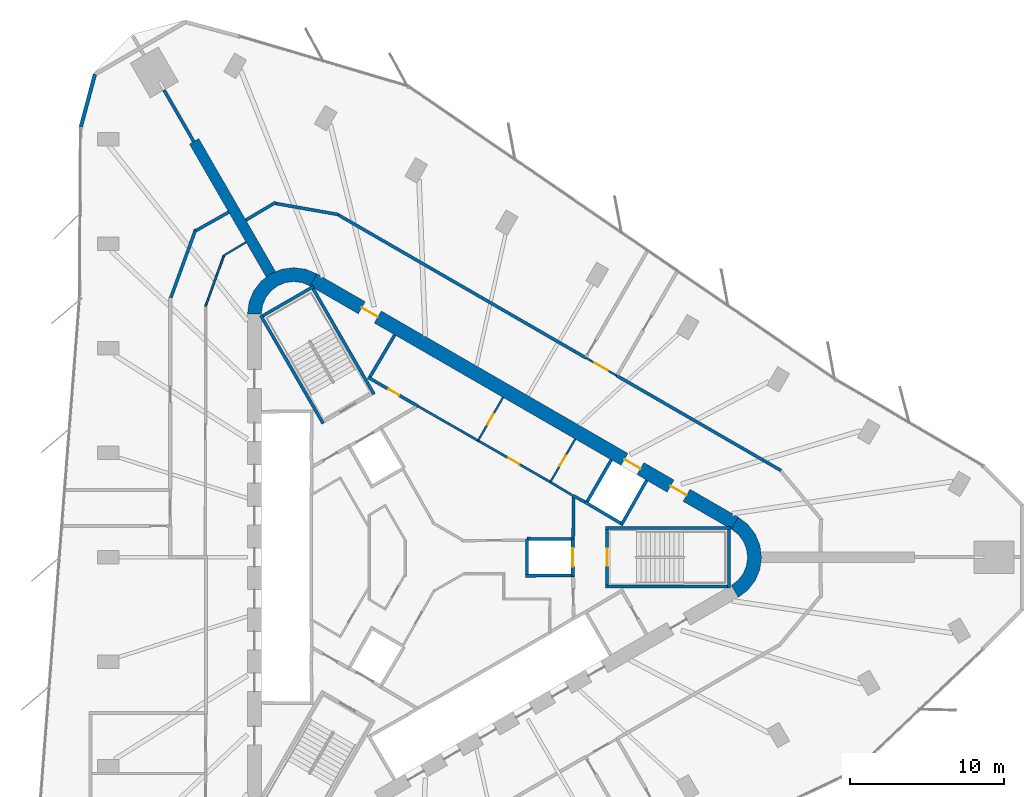
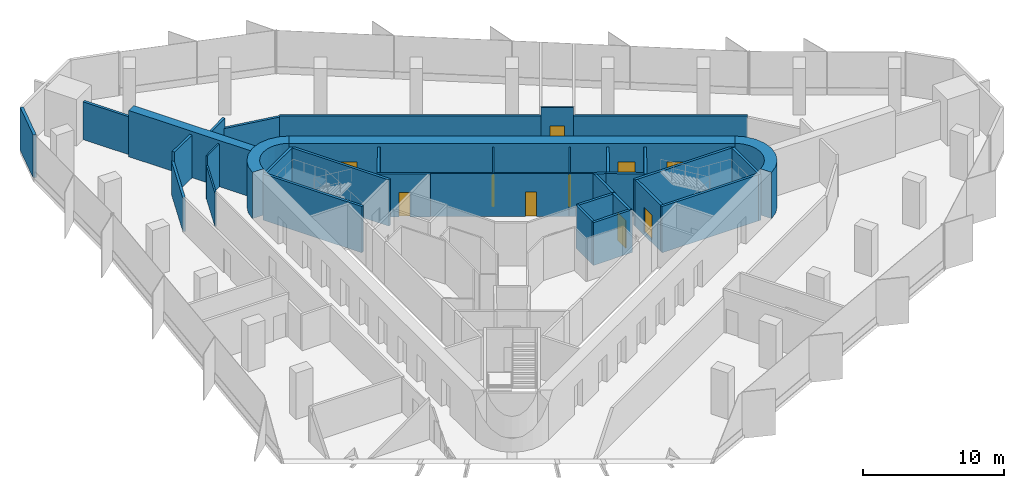
# One storey, part 11 of 13: 37 walls, 10 doors, 10 openings.
"""IFC4 building model written with IfcOpenShell, lengths in metres."""

from ifc_helpers import new_model, si_unit, direction, frame, frame_2d, origin, place, context, subcontext, project, spatial, polyline, rectangle, outline, extrude, material, layer, layer_set, type_object, element, fill, save


model = new_model("IFC4")

# Units and contexts
model_context = context("Model", 3, precision=1e-05, world=origin(), true_north=direction((0.0, 1.0)))
body_context = subcontext(model_context, "Body", "Model", "MODEL_VIEW")
ifc_project = project(units=[si_unit("LENGTHUNIT", "METRE"), si_unit("AREAUNIT", "SQUARE_METRE"), si_unit("VOLUMEUNIT", "CUBIC_METRE"), si_unit("PLANEANGLEUNIT", "RADIAN"), si_unit("MASSUNIT", "GRAM", prefix="KILO")], contexts=[model_context])

# Site, building, storey
site_placement = place(None, origin())
site = spatial("IfcSite", under=ifc_project, at=site_placement, CompositionType="ELEMENT")
building_placement = place(site_placement, origin())
building = spatial("IfcBuilding", under=site, at=building_placement, Name="Tanit Gate Tower", CompositionType="ELEMENT")
storey_placement = place(building_placement, frame((0.0, 0.0, 265.199951171875)))
storey = spatial("IfcBuildingStorey", under=building, at=storey_placement, Name="L60", CompositionType="ELEMENT", Elevation=265.199951171875)

# Wall
ifc_material_1 = material(Name="Concrete C50/60", Category="concrete")
ifc_layer_1 = layer(ifc_material_1, 0.699951171875)
ifc_layer_set_1 = layer_set([ifc_layer_1], Name="BUTTRESS FIN 700 C50/60")
wall_type_1 = type_object("IfcWallType", Name="BUTTRESS FIN 700 C50/60", PredefinedType="SHEAR", material=ifc_layer_set_1)
wall_1_placement = place(storey_placement, frame((-10.574951171875, 18.31640625, 0.0), z_axis=(0.0, 0.0, 1.0), x_axis=(-0.500007350791, 0.866021159762, 0.0)))
element("IfcWall", 1, at=wall_1_placement, inside=storey, type_object=wall_type_1, Name="BUTTRESS FIN", PredefinedType="SHEAR", context=body_context, shape_type="SweptSolid", body=[
    extrude(rectangle(XDim=9.964599609375, YDim=0.699951171875, at=frame_2d((4.982421875, 0.0))), origin(), (0.0, 0.0, 1.0), 4.0),
])

# Wall, openings, doors
ifc_material_2 = material(Name="Concrete C50/60", Category="concrete")
ifc_layer_2 = layer(ifc_material_2, 0.89990234375)
ifc_layer_set_2 = layer_set([ifc_layer_2], Name="CORE WALL 900 C50/60")
wall_type_2 = type_object("IfcWallType", Name="CORE WALL 900 C50/60", PredefinedType="SHEAR", material=ifc_layer_set_2)
wall_2_placement = place(storey_placement, frame((19.47509765625, 2.20849609375, 0.0), z_axis=(0.0, 0.0, 1.0), x_axis=(-0.866028369851, 0.499994862586, 0.0)))
wall_2 = element("IfcWall", 2, at=wall_2_placement, inside=storey, type_object=wall_type_2, Name="CORE WALL", PredefinedType="SHEAR", context=body_context, shape_type="SweptSolid", body=[
    extrude(rectangle(XDim=31.523193359375, YDim=0.89990234375, at=frame_2d((15.76171875, 0.0))), origin(), (0.0, 0.0, 1.0), 4.0),
])
opening_1_placement = place(wall_2_placement, frame((7.0615234375, 0.0, 0.0)))
opening_1 = element("IfcOpeningElement", 3, at=opening_1_placement, cuts=wall_2, Name="Opening LDML8-S17", PredefinedType="OPENING", context=body_context, shape_type="SweptSolid", body=[
    extrude(rectangle(XDim=1.199951171875, YDim=2.39990234375, at=frame_2d((0.60009765625, 1.199951171875))), frame((0.0, 0.4599609375, 0.0), z_axis=(0.0, -1.0, 0.0), x_axis=(1.0, 0.0, 0.0)), (0.0, 0.0, 1.0), 0.919921875),
])
opening_2_placement = place(wall_2_placement, frame((3.611572265625, 0.0, 0.0)))
opening_2 = element("IfcOpeningElement", 4, at=opening_2_placement, cuts=wall_2, Name="Opening F12-S17-FL1", PredefinedType="OPENING", context=body_context, shape_type="SweptSolid", body=[
    extrude(rectangle(XDim=1.199951171875, YDim=2.39990234375, at=frame_2d((0.60009765625, 1.199951171875))), frame((0.0, 0.4599609375, 0.0), z_axis=(0.0, -1.0, 0.0), x_axis=(1.0, 0.0, 0.0)), (0.0, 0.0, 1.0), 0.919921875),
])
opening_3_placement = place(wall_2_placement, frame((26.711669921875, 0.0, 0.0)))
opening_3 = element("IfcOpeningElement", 5, at=opening_3_placement, cuts=wall_2, Name="Opening F12-S17-S2", PredefinedType="OPENING", context=body_context, shape_type="SweptSolid", body=[
    extrude(rectangle(XDim=1.199951171875, YDim=2.39990234375, at=frame_2d((0.60009765625, 1.199951171875))), frame((0.0, 0.4599609375, 0.0), z_axis=(0.0, -1.0, 0.0), x_axis=(1.0, 0.0, 0.0)), (0.0, 0.0, 1.0), 0.919921875),
])
ifc_material_3 = material(Name="Fire-rated steel door leaf", Category="steel")
door_type_1 = type_object("IfcDoorType", Name="INT-DOOR-FIRE-LOBBY-1200", OperationType="NOTDEFINED", PredefinedType="USERDEFINED", material=ifc_material_3)
door_1_placement = place(opening_2_placement, origin())
door_1 = element("IfcDoor", 6, at=door_1_placement, inside=storey, type_object=door_type_1, Name="Door F12-S17-FL1", ObjectType="FIRE DOOR", OperationType="SINGLE_SWING_LEFT", OverallHeight=2.39990234375, OverallWidth=1.199951171875, PredefinedType="USERDEFINED", context=body_context, shape_type="SweptSolid", body=[
    extrude(rectangle(XDim=1.199951171875, YDim=2.39990234375, at=frame_2d((0.60009765625, 1.199951171875))), frame((0.0, 0.02490234375, 0.0), z_axis=(0.0, -1.0, 0.0), x_axis=(1.0, 0.0, 0.0)), (0.0, 0.0, 1.0), 0.050048828125),
])
fill(opening_2, door_1)
door_2_placement = place(opening_3_placement, origin())
door_2 = element("IfcDoor", 7, at=door_2_placement, inside=storey, type_object=door_type_1, Name="Door F12-S17-S2", ObjectType="FIRE DOOR", OperationType="SINGLE_SWING_RIGHT", OverallHeight=2.39990234375, OverallWidth=1.199951171875, PredefinedType="USERDEFINED", context=body_context, shape_type="SweptSolid", body=[
    extrude(rectangle(XDim=1.199951171875, YDim=2.39990234375, at=frame_2d((0.60009765625, 1.199951171875))), frame((0.0, 0.02490234375, 0.0), z_axis=(0.0, -1.0, 0.0), x_axis=(1.0, 0.0, 0.0)), (0.0, 0.0, 1.0), 0.050048828125),
])
fill(opening_3, door_2)
ifc_material_4 = material(Name="Stainless steel sliding door leaf", Category="steel")
door_type_2 = type_object("IfcDoorType", Name="INT-DOOR-LANDING-1200", OperationType="NOTDEFINED", PredefinedType="USERDEFINED", material=ifc_material_4)
door_3_placement = place(opening_1_placement, origin())
door_3 = element("IfcDoor", 8, at=door_3_placement, inside=storey, type_object=door_type_2, Name="Door LDML8-S17", ObjectType="LANDING DOOR", OperationType="SLIDING_TO_LEFT", OverallHeight=2.39990234375, OverallWidth=1.199951171875, PredefinedType="USERDEFINED", context=body_context, shape_type="SweptSolid", body=[
    extrude(rectangle(XDim=1.199951171875, YDim=2.39990234375, at=frame_2d((0.60009765625, 1.199951171875))), frame((0.0, 0.02490234375, 0.0), z_axis=(0.0, -1.0, 0.0), x_axis=(1.0, 0.0, 0.0)), (0.0, 0.0, 1.0), 0.050048828125),
])
fill(opening_1, door_3)

# Walls
wall_3_placement = place(storey_placement, origin())
element("IfcWall", 9, at=wall_3_placement, inside=storey, type_object=wall_type_2, Name="CORE WALL CORNER", PredefinedType="SHEAR", context=body_context, shape_type="SweptSolid", body=[
    extrude(outline(polyline([(-7.60009765625, 18.359619140625), (-8.323486328125, 18.659423828125), (-9.10009765625, 18.76171875), (-9.87646484375, 18.659423828125), (-10.60009765625, 18.359619140625), (-11.22119140625, 17.883056640625), (-11.697998046875, 17.26171875), (-11.997802734375, 16.5380859375), (-12.10009765625, 15.76171875), (-11.199951171875, 15.76171875), (-11.12841796875, 16.30517578125), (-10.918701171875, 16.811767578125), (-10.5849609375, 17.24658203125), (-10.14990234375, 17.580322265625), (-9.6435546875, 17.7900390625), (-9.10009765625, 17.86181640625), (-8.556396484375, 17.7900390625), (-8.050048828125, 17.580322265625), (-7.60009765625, 18.359619140625)])), origin(), (0.0, 0.0, 1.0), 4.0),
])
wall_4_placement = place(storey_placement, origin())
element("IfcWall", 10, at=wall_4_placement, inside=storey, type_object=wall_type_2, Name="CORE WALL CORNER", PredefinedType="SHEAR", context=body_context, shape_type="SweptSolid", body=[
    extrude(outline(polyline([(19.699951171875, -2.59814453125), (20.3212890625, -2.121337890625), (20.798095703125, -1.5), (21.097900390625, -0.776611328125), (21.199951171875, 0.0), (21.097900390625, 0.776611328125), (20.798095703125, 1.5), (20.3212890625, 2.121337890625), (19.699951171875, 2.59814453125), (19.25, 1.818603515625), (19.684814453125, 1.48486328125), (20.018798828125, 1.050048828125), (20.228515625, 0.54345703125), (20.300048828125, 0.0), (20.228515625, -0.54345703125), (20.018798828125, -1.050048828125), (19.684814453125, -1.48486328125), (19.25, -1.818603515625), (19.699951171875, -2.59814453125)])), origin(), (0.0, 0.0, 1.0), 4.0),
])
ifc_material_5 = material(Name="Concrete C30/37 with bronze anodised aluminium cladding", Category="concrete")
ifc_layer_3 = layer(ifc_material_5, 0.239990234375)
ifc_layer_set_3 = layer_set([ifc_layer_3], Name="Facade wall bronze clad 240")
wall_type_3 = type_object("IfcWallType", Name="Facade wall bronze clad 240", PredefinedType="SOLIDWALL", material=ifc_layer_set_3)
wall_5_placement = place(storey_placement, frame((-21.986328125, 31.283203125, 0.0), z_axis=(0.0, 0.0, 1.0), x_axis=(-0.258844219627, -0.965919080444, 0.0)))
element("IfcWall", 11, at=wall_5_placement, inside=storey, type_object=wall_type_3, Name="Bronze-clad facade wall L60 NW.arc3", PredefinedType="SOLIDWALL", context=body_context, shape_type="SweptSolid", body=[
    extrude(rectangle(XDim=3.5361328125, YDim=0.239990234375, at=frame_2d((1.76806640625, 0.0))), origin(), (0.0, 0.0, 1.0), 3.699951171875),
])
ifc_material_6 = material(Name="Fire-rated gypsum board partition")
ifc_layer_4 = layer(ifc_material_6, 0.199951171875)
ifc_layer_set_4 = layer_set([ifc_layer_4], Name="INT-WALL-COMPARTMENT")
wall_type_4 = type_object("IfcWallType", Name="INT-WALL-COMPARTMENT", PredefinedType="PARTITIONING", material=ifc_layer_set_4)
wall_6_placement = place(storey_placement, frame((8.97412109375, 3.998779296875, 0.0), z_axis=(0.0, 0.0, 1.0), x_axis=(0.880917147855, -0.473270513147, 0.0)))
element("IfcWall", 12, at=wall_6_placement, inside=storey, type_object=wall_type_4, Name="Wall Compartment W050", PredefinedType="PARTITIONING", context=body_context, shape_type="SweptSolid", body=[
    extrude(rectangle(XDim=0.8779296875, YDim=0.199951171875, at=frame_2d((0.43896484375, 0.0))), origin(), (0.0, 0.0, 1.0), 3.699951171875),
])

# Wall, opening, door
wall_7_placement = place(storey_placement, frame((-4.295654296875, 11.659912109375, 0.0), z_axis=(0.0, 0.0, 1.0), x_axis=(0.866027389382, -0.499996560828, 0.0)))
wall_7 = element("IfcWall", 13, at=wall_7_placement, inside=storey, type_object=wall_type_4, Name="Wall Compartment W054", PredefinedType="PARTITIONING", context=body_context, shape_type="SweptSolid", body=[
    extrude(rectangle(XDim=3.77783203125, YDim=0.199951171875, at=frame_2d((1.888916015625, 0.0))), origin(), (0.0, 0.0, 1.0), 3.699951171875),
])
opening_4_placement = place(wall_7_placement, frame((1.538818359375, 0.0, 0.0)))
opening_4 = element("IfcOpeningElement", 14, at=opening_4_placement, cuts=wall_7, Name="Opening R08-S17-16", PredefinedType="OPENING", context=body_context, shape_type="SweptSolid", body=[
    extrude(rectangle(XDim=0.800048828125, YDim=2.10009765625, at=frame_2d((0.39990234375, 1.050048828125))), frame((0.0, 0.10986328125, 0.0), z_axis=(0.0, -1.0, 0.0), x_axis=(1.0, 0.0, 0.0)), (0.0, 0.0, 1.0), 0.219970703125),
])
ifc_material_7 = material(Name="Timber door leaf", Category="wood")
door_type_3 = type_object("IfcDoorType", Name="INT-DOOR-RISER-800", OperationType="NOTDEFINED", PredefinedType="USERDEFINED", material=ifc_material_7)
door_4_placement = place(opening_4_placement, origin())
door_4 = element("IfcDoor", 15, at=door_4_placement, inside=storey, type_object=door_type_3, Name="Door R08-S17-16", ObjectType="FIRE DOOR", OperationType="SINGLE_SWING_LEFT", OverallHeight=2.10009765625, OverallWidth=0.800048828125, PredefinedType="USERDEFINED", context=body_context, shape_type="SweptSolid", body=[
    extrude(rectangle(XDim=0.800048828125, YDim=2.10009765625, at=frame_2d((0.39990234375, 1.050048828125))), frame((0.0, 0.02490234375, 0.0), z_axis=(0.0, -1.0, 0.0), x_axis=(1.0, 0.0, 0.0)), (0.0, 0.0, 1.0), 0.050048828125),
])
fill(opening_4, door_4)

# Walls
wall_8_placement = place(storey_placement, frame((-2.557861328125, 14.409423828125, 0.0), z_axis=(0.0, 0.0, 1.0), x_axis=(-0.508018930956, -0.861345903683, 0.0)))
element("IfcWall", 16, at=wall_8_placement, inside=storey, type_object=wall_type_4, Name="Wall Compartment W055", PredefinedType="PARTITIONING", context=body_context, shape_type="SweptSolid", body=[
    extrude(rectangle(XDim=3.150146484375, YDim=0.199951171875, at=frame_2d((1.5751953125, 0.0))), origin(), (0.0, 0.0, 1.0), 3.699951171875),
])
wall_9_placement = place(storey_placement, frame((9.0009765625, 1.27001953125, 0.0), z_axis=(0.0, 0.0, 1.0), x_axis=(0.010751103362, 0.999942205218, 0.0)))
element("IfcWall", 17, at=wall_9_placement, inside=storey, type_object=wall_type_4, Name="Wall Compartment W059", PredefinedType="PARTITIONING", context=body_context, shape_type="SweptSolid", body=[
    extrude(rectangle(XDim=2.72509765625, YDim=0.199951171875, at=frame_2d((1.362548828125, 0.0))), origin(), (0.0, 0.0, 1.0), 3.699951171875),
])
wall_10_placement = place(storey_placement, frame((-15.456298828125, 21.238525390625, 0.0), z_axis=(0.0, 0.0, 1.0), x_axis=(-0.34205546997, -0.939679762187, 0.0)))
element("IfcWall", 18, at=wall_10_placement, inside=storey, type_object=wall_type_4, Name="Wall Compartment W091", PredefinedType="PARTITIONING", context=body_context, shape_type="SweptSolid", body=[
    extrude(rectangle(XDim=4.705810546875, YDim=0.199951171875, at=frame_2d((2.35302734375, 0.0))), origin(), (0.0, 0.0, 1.0), 2.880126953125),
])
wall_11_placement = place(storey_placement, frame((-13.31298828125, 22.35888671875, 0.0), z_axis=(0.0, 0.0, 1.0), x_axis=(-0.87121710687, -0.490897904555, 0.0)))
element("IfcWall", 19, at=wall_11_placement, inside=storey, type_object=wall_type_4, Name="Wall Compartment W092", PredefinedType="PARTITIONING", context=body_context, shape_type="SweptSolid", body=[
    extrude(rectangle(XDim=2.457275390625, YDim=0.199951171875, at=frame_2d((1.228515625, 0.0))), origin(), (0.0, 0.0, 1.0), 3.699951171875),
])
wall_12_placement = place(storey_placement, frame((22.466064453125, 5.619873046875, 0.0), z_axis=(0.0, 0.0, 1.0), x_axis=(-0.866024234898, 0.500002024564, 0.0)))
element("IfcWall", 20, at=wall_12_placement, inside=storey, type_object=wall_type_4, Name="Wall Compartment W099", PredefinedType="PARTITIONING", context=body_context, shape_type="SweptSolid", body=[
    extrude(rectangle(XDim=12.29638671875, YDim=0.199951171875, at=frame_2d((6.148193359375, 0.0))), origin(), (0.0, 0.0, 1.0), 2.97998046875),
])
wall_13_placement = place(storey_placement, frame((9.825439453125, 12.91796875, 0.0), z_axis=(0.0, 0.0, 1.0), x_axis=(-0.866022708987, 0.500004667497, 0.0)))
element("IfcWall", 21, at=wall_13_placement, inside=storey, type_object=wall_type_4, Name="Wall Compartment W104", PredefinedType="PARTITIONING", context=body_context, shape_type="SweptSolid", body=[
    extrude(rectangle(XDim=18.496337890625, YDim=0.199951171875, at=frame_2d((9.248046875, 0.0))), origin(), (0.0, 0.0, 1.0), 2.97998046875),
])
wall_14_placement = place(storey_placement, frame((-10.26513671875, 22.995849609375, 0.0), z_axis=(0.0, 0.0, 1.0), x_axis=(-0.859934823121, -0.510403859687, 0.0)))
element("IfcWall", 22, at=wall_14_placement, inside=storey, type_object=wall_type_4, Name="Wall Compartment W102", PredefinedType="PARTITIONING", context=body_context, shape_type="SweptSolid", body=[
    extrude(rectangle(XDim=2.25830078125, YDim=0.199951171875, at=frame_2d((1.129150390625, 0.0))), origin(), (0.0, 0.0, 1.0), 3.699951171875),
])
wall_15_placement = place(storey_placement, frame((-6.18115234375, 22.19873046875, 0.0), z_axis=(0.0, 0.0, 1.0), x_axis=(-0.984807544765, 0.17364935869, 0.0)))
element("IfcWall", 23, at=wall_15_placement, inside=storey, type_object=wall_type_4, Name="Wall Compartment W103", PredefinedType="PARTITIONING", context=body_context, shape_type="SweptSolid", body=[
    extrude(rectangle(XDim=4.199462890625, YDim=0.199951171875, at=frame_2d((2.099609375, 0.0))), origin(), (0.0, 0.0, 1.0), 2.880126953125),
])
wall_16_placement = place(storey_placement, frame((-17.510986328125, 30.27001953125, 0.0), z_axis=(0.0, 0.0, 1.0), x_axis=(0.499980071345, -0.866036909293, 0.0)))
element("IfcWall", 24, at=wall_16_placement, inside=storey, type_object=wall_type_4, Name="Wall Compartment W123", PredefinedType="PARTITIONING", context=body_context, shape_type="SweptSolid", body=[
    extrude(rectangle(XDim=3.855712890625, YDim=0.199951171875, at=frame_2d((1.927734375, 0.0))), origin(), (0.0, 0.0, 1.0), 3.27001953125),
])

# Wall, opening, door
ifc_material_8 = material(Name="Gypsum board partition")
ifc_layer_5 = layer(ifc_material_8, 0.1201171875)
ifc_layer_set_5 = layer_set([ifc_layer_5], Name="INT-WALL-PARTITION")
wall_type_5 = type_object("IfcWallType", Name="INT-WALL-PARTITION", PredefinedType="PARTITIONING", material=ifc_layer_set_5)
wall_17_placement = place(storey_placement, frame((7.50830078125, 4.844970703125, 0.0), z_axis=(0.0, 0.0, 1.0), x_axis=(0.500017246033, 0.866015446554, 0.0)))
wall_17 = element("IfcWall", 25, at=wall_17_placement, inside=storey, type_object=wall_type_5, Name="Wall Partition W049", PredefinedType="PARTITIONING", context=body_context, shape_type="SweptSolid", body=[
    extrude(rectangle(XDim=3.25, YDim=0.1201171875, at=frame_2d((1.625, 0.0))), origin(), (0.0, 0.0, 1.0), 3.699951171875),
])
opening_5_placement = place(wall_17_placement, frame((1.22509765625, 0.0, 0.0)))
opening_5 = element("IfcOpeningElement", 26, at=opening_5_placement, cuts=wall_17, Name="Opening R08-S17-14", PredefinedType="OPENING", context=body_context, shape_type="SweptSolid", body=[
    extrude(rectangle(XDim=0.800048828125, YDim=2.10009765625, at=frame_2d((0.39990234375, 1.050048828125))), frame((0.0, 0.070068359375, 0.0), z_axis=(0.0, -1.0, 0.0), x_axis=(1.0, 0.0, 0.0)), (0.0, 0.0, 1.0), 0.14013671875),
])
door_5_placement = place(opening_5_placement, origin())
door_5 = element("IfcDoor", 27, at=door_5_placement, inside=storey, type_object=door_type_3, Name="Door R08-S17-14", ObjectType="FIRE DOOR", OperationType="SINGLE_SWING_RIGHT", OverallHeight=2.10009765625, OverallWidth=0.800048828125, PredefinedType="USERDEFINED", context=body_context, shape_type="SweptSolid", body=[
    extrude(rectangle(XDim=0.800048828125, YDim=2.10009765625, at=frame_2d((0.39990234375, 1.050048828125))), frame((0.0, 0.02490234375, 0.0), z_axis=(0.0, -1.0, 0.0), x_axis=(1.0, 0.0, 0.0)), (0.0, 0.0, 1.0), 0.050048828125),
])
fill(opening_5, door_5)

wall_18_placement = place(storey_placement, frame((2.831787109375, 7.544921875, 0.0), z_axis=(0.0, 0.0, 1.0), x_axis=(0.500017246033, 0.866015446554, 0.0)))
wall_18 = element("IfcWall", 28, at=wall_18_placement, inside=storey, type_object=wall_type_5, Name="Wall Partition W052", PredefinedType="PARTITIONING", context=body_context, shape_type="SweptSolid", body=[
    extrude(rectangle(XDim=3.25, YDim=0.1201171875, at=frame_2d((1.625, 0.0))), origin(), (0.0, 0.0, 1.0), 3.699951171875),
])
opening_6_placement = place(wall_18_placement, frame((1.22509765625, 0.0, 0.0)))
opening_6 = element("IfcOpeningElement", 29, at=opening_6_placement, cuts=wall_18, Name="Opening R08-S17-15", PredefinedType="OPENING", context=body_context, shape_type="SweptSolid", body=[
    extrude(rectangle(XDim=0.800048828125, YDim=2.10009765625, at=frame_2d((0.39990234375, 1.050048828125))), frame((0.0, 0.070068359375, 0.0), z_axis=(0.0, -1.0, 0.0), x_axis=(1.0, 0.0, 0.0)), (0.0, 0.0, 1.0), 0.14013671875),
])
door_6_placement = place(opening_6_placement, origin())
door_6 = element("IfcDoor", 30, at=door_6_placement, inside=storey, type_object=door_type_3, Name="Door R08-S17-15", ObjectType="FIRE DOOR", OperationType="SINGLE_SWING_RIGHT", OverallHeight=2.10009765625, OverallWidth=0.800048828125, PredefinedType="USERDEFINED", context=body_context, shape_type="SweptSolid", body=[
    extrude(rectangle(XDim=0.800048828125, YDim=2.10009765625, at=frame_2d((0.39990234375, 1.050048828125))), frame((0.0, 0.02490234375, 0.0), z_axis=(0.0, -1.0, 0.0), x_axis=(1.0, 0.0, 0.0)), (0.0, 0.0, 1.0), 0.050048828125),
])
fill(opening_6, door_6)

# Walls
wall_19_placement = place(storey_placement, frame((-12.188720703125, 20.411376953125, 0.0), z_axis=(0.0, 0.0, 1.0), x_axis=(-0.858492721014, -0.51282574815, 0.0)))
element("IfcWall", 31, at=wall_19_placement, inside=storey, type_object=wall_type_5, Name="Wall Partition W084", PredefinedType="PARTITIONING", context=body_context, shape_type="SweptSolid", body=[
    extrude(rectangle(XDim=1.742431640625, YDim=0.1201171875, at=frame_2d((0.87109375, 0.0))), origin(), (0.0, 0.0, 1.0), 3.699951171875),
])
wall_20_placement = place(storey_placement, frame((-13.630615234375, 19.529541015625, 0.0), z_axis=(0.0, 0.0, 1.0), x_axis=(-0.342069878069, -0.939674517329, 0.0)))
element("IfcWall", 32, at=wall_20_placement, inside=storey, type_object=wall_type_5, Name="Wall Partition W085", PredefinedType="PARTITIONING", context=body_context, shape_type="SweptSolid", body=[
    extrude(rectangle(XDim=3.478759765625, YDim=0.1201171875, at=frame_2d((1.7392578125, 0.0))), origin(), (0.0, 0.0, 1.0), 2.880126953125),
])

# Wall, opening, door
wall_21_placement = place(storey_placement, frame((11.817138671875, 11.76806640625, 0.0), z_axis=(0.0, 0.0, 1.0), x_axis=(-0.86602648383, 0.499998129301, 0.0)))
wall_21 = element("IfcWall", 33, at=wall_21_placement, inside=storey, type_object=wall_type_5, Name="Wall Partition W098", PredefinedType="PARTITIONING", context=body_context, shape_type="SweptSolid", body=[
    extrude(rectangle(XDim=2.2998046875, YDim=0.1201171875, at=frame_2d((1.14990234375, 0.0))), origin(), (0.0, 0.0, 1.0), 3.699951171875),
])
opening_7_placement = place(wall_21_placement, frame((0.64990234375, 0.0, 0.0)))
opening_7 = element("IfcOpeningElement", 34, at=opening_7_placement, cuts=wall_21, Name="Opening D10-S17-21", PredefinedType="OPENING", context=body_context, shape_type="SweptSolid", body=[
    extrude(rectangle(XDim=1.0, YDim=2.10009765625, at=frame_2d((0.5, 1.050048828125))), frame((0.0, 0.070068359375, 0.0), z_axis=(0.0, -1.0, 0.0), x_axis=(1.0, 0.0, 0.0)), (0.0, 0.0, 1.0), 0.14013671875),
])
ifc_material_9 = material(Name="Timber door leaf", Category="wood")
door_type_4 = type_object("IfcDoorType", Name="INT-DOOR-SINGLE-1000", OperationType="NOTDEFINED", PredefinedType="NOTDEFINED", material=ifc_material_9)
door_7_placement = place(opening_7_placement, origin())
door_7 = element("IfcDoor", 35, at=door_7_placement, inside=storey, type_object=door_type_4, Name="Door D10-S17-21", OperationType="SINGLE_SWING_RIGHT", OverallHeight=2.10009765625, OverallWidth=1.0, PredefinedType="NOTDEFINED", context=body_context, shape_type="SweptSolid", body=[
    extrude(rectangle(XDim=1.0, YDim=2.10009765625, at=frame_2d((0.5, 1.050048828125))), frame((0.0, 0.02490234375, 0.0), z_axis=(0.0, -1.0, 0.0), x_axis=(1.0, 0.0, 0.0)), (0.0, 0.0, 1.0), 0.050048828125),
])
fill(opening_7, door_7)

# Wall
ifc_material_10 = material(Name="Fire-rated gypsum board partition")
ifc_layer_6 = layer(ifc_material_10, 0.14990234375)
ifc_layer_set_6 = layer_set([ifc_layer_6], Name="INT-WALL-RISER")
wall_type_6 = type_object("IfcWallType", Name="INT-WALL-RISER", PredefinedType="PLUMBINGWALL", material=ifc_layer_set_6)
wall_22_placement = place(storey_placement, frame((8.9306640625, 4.026123046875, 0.0), z_axis=(0.0, 0.0, 1.0), x_axis=(-0.857531586833, 0.514431314738, 0.0)))
element("IfcWall", 36, at=wall_22_placement, inside=storey, type_object=wall_type_6, Name="Wall Riser W051", PredefinedType="PLUMBINGWALL", context=body_context, shape_type="SweptSolid", body=[
    extrude(rectangle(XDim=1.67138671875, YDim=0.14990234375, at=frame_2d((0.835693359375, 0.0))), origin(), (0.0, 0.0, 1.0), 3.699951171875),
])

# Wall, opening, door
wall_23_placement = place(storey_placement, frame((7.497314453125, 4.885986328125, 0.0), z_axis=(0.0, 0.0, 1.0), x_axis=(-0.867541725638, 0.497364407931, 0.0)))
wall_23 = element("IfcWall", 37, at=wall_23_placement, inside=storey, type_object=wall_type_6, Name="Wall Riser W053", PredefinedType="PLUMBINGWALL", context=body_context, shape_type="SweptSolid", body=[
    extrude(rectangle(XDim=9.822265625, YDim=0.14990234375, at=frame_2d((4.9111328125, 0.0))), origin(), (0.0, 0.0, 1.0), 3.699951171875),
])
opening_8_placement = place(wall_23_placement, frame((2.300048828125, 0.0, 0.0)))
opening_8 = element("IfcOpeningElement", 38, at=opening_8_placement, cuts=wall_23, Name="Opening R08-S17-18", PredefinedType="OPENING", context=body_context, shape_type="SweptSolid", body=[
    extrude(rectangle(XDim=0.800048828125, YDim=2.10009765625, at=frame_2d((0.39990234375, 1.050048828125))), frame((0.0, 0.0849609375, 0.0), z_axis=(0.0, -1.0, 0.0), x_axis=(1.0, 0.0, 0.0)), (0.0, 0.0, 1.0), 0.169921875),
])
door_8_placement = place(opening_8_placement, origin())
door_8 = element("IfcDoor", 39, at=door_8_placement, inside=storey, type_object=door_type_3, Name="Door R08-S17-18", ObjectType="FIRE DOOR", OperationType="SINGLE_SWING_LEFT", OverallHeight=2.10009765625, OverallWidth=0.800048828125, PredefinedType="USERDEFINED", context=body_context, shape_type="SweptSolid", body=[
    extrude(rectangle(XDim=0.800048828125, YDim=2.10009765625, at=frame_2d((0.39990234375, 1.050048828125))), frame((0.0, 0.02490234375, 0.0), z_axis=(0.0, -1.0, 0.0), x_axis=(1.0, 0.0, 0.0)), (0.0, 0.0, 1.0), 0.050048828125),
])
fill(opening_8, door_8)

# Walls
ifc_material_11 = material(Name="Gypsum shaft wall system")
ifc_layer_7 = layer(ifc_material_11, 0.199951171875)
ifc_layer_set_7 = layer_set([ifc_layer_7], Name="INT-WALL-SHAFT")
wall_type_7 = type_object("IfcWallType", Name="INT-WALL-SHAFT", PredefinedType="PLUMBINGWALL", material=ifc_layer_set_7)
wall_24_placement = place(storey_placement, frame((9.8466796875, 3.494873046875, 0.0), z_axis=(0.0, 0.0, 1.0), x_axis=(0.499984717929, 0.866034226713, 0.0)))
element("IfcWall", 40, at=wall_24_placement, inside=storey, type_object=wall_type_7, Name="Wall Shaft W012", PredefinedType="PLUMBINGWALL", context=body_context, shape_type="SweptSolid", body=[
    extrude(rectangle(XDim=3.25, YDim=0.199951171875, at=frame_2d((1.625, 0.0))), origin(), (0.0, 0.0, 1.0), 3.699951171875),
])
wall_25_placement = place(storey_placement, frame((12.10986328125, 2.07275390625, 0.0), z_axis=(0.0, 0.0, 1.0), x_axis=(0.49196600604, 0.870614408852, 0.0)))
element("IfcWall", 41, at=wall_25_placement, inside=storey, type_object=wall_type_7, Name="Wall Shaft W013", PredefinedType="PLUMBINGWALL", context=body_context, shape_type="SweptSolid", body=[
    extrude(rectangle(XDim=3.35009765625, YDim=0.199951171875, at=frame_2d((1.675048828125, 0.0))), origin(), (0.0, 0.0, 1.0), 3.699951171875),
])
wall_26_placement = place(storey_placement, frame((12.072998046875, 2.2109375, 0.0), z_axis=(0.0, 0.0, 1.0), x_axis=(-0.860414880418, 0.509594185166, 0.0)))
element("IfcWall", 42, at=wall_26_placement, inside=storey, type_object=wall_type_7, Name="Wall Shaft W014", PredefinedType="PLUMBINGWALL", context=body_context, shape_type="SweptSolid", body=[
    extrude(rectangle(XDim=2.7001953125, YDim=0.199951171875, at=frame_2d((1.35009765625, 0.0))), origin(), (0.0, 0.0, 1.0), 3.699951171875),
])

# Wall, opening, door
wall_27_placement = place(storey_placement, frame((8.969970703125, 1.199951171875, 0.0), z_axis=(0.0, 0.0, 1.0), x_axis=(0.0, -1.0, 0.0)))
wall_27 = element("IfcWall", 43, at=wall_27_placement, inside=storey, type_object=wall_type_7, Name="Wall Shaft W029", PredefinedType="PLUMBINGWALL", context=body_context, shape_type="SweptSolid", body=[
    extrude(rectangle(XDim=2.39990234375, YDim=0.199951171875, at=frame_2d((1.199951171875, 0.0))), origin(), (0.0, 0.0, 1.0), 3.699951171875),
])
opening_9_placement = place(wall_27_placement, frame((0.60009765625, 0.0, 0.0)))
opening_9 = element("IfcOpeningElement", 44, at=opening_9_placement, cuts=wall_27, Name="Opening LDFL1-L60", PredefinedType="OPENING", context=body_context, shape_type="SweptSolid", body=[
    extrude(rectangle(XDim=1.199951171875, YDim=2.39990234375, at=frame_2d((0.60009765625, 1.199951171875))), frame((0.0, 0.10986328125, 0.0), z_axis=(0.0, -1.0, 0.0), x_axis=(1.0, 0.0, 0.0)), (0.0, 0.0, 1.0), 0.219970703125),
])
door_9_placement = place(opening_9_placement, origin())
door_9 = element("IfcDoor", 45, at=door_9_placement, inside=storey, type_object=door_type_2, Name="Door LDFL1-L60", ObjectType="LANDING DOOR", OperationType="SLIDING_TO_LEFT", OverallHeight=2.39990234375, OverallWidth=1.199951171875, PredefinedType="USERDEFINED", context=body_context, shape_type="SweptSolid", body=[
    extrude(rectangle(XDim=1.199951171875, YDim=2.39990234375, at=frame_2d((0.60009765625, 1.199951171875))), frame((0.0, 0.02490234375, 0.0), z_axis=(0.0, -1.0, 0.0), x_axis=(1.0, 0.0, 0.0)), (0.0, 0.0, 1.0), 0.050048828125),
])
fill(opening_9, door_9)

# Walls
wall_28_placement = place(storey_placement, frame((6.0, 1.199951171875, 0.0), z_axis=(0.0, 0.0, 1.0), x_axis=(0.999949988, -0.010001074852, 0.0)))
element("IfcWall", 46, at=wall_28_placement, inside=storey, type_object=wall_type_7, Name="Wall Shaft W030", PredefinedType="PLUMBINGWALL", context=body_context, shape_type="SweptSolid", body=[
    extrude(rectangle(XDim=3.100341796875, YDim=0.199951171875, at=frame_2d((1.55029296875, 0.0))), origin(), (0.0, 0.0, 1.0), 3.699951171875),
])
wall_29_placement = place(storey_placement, frame((5.89990234375, -1.200927734375, 0.0), z_axis=(0.0, 0.0, 1.0), x_axis=(0.999950064753, 0.009993397809, 0.0)))
element("IfcWall", 47, at=wall_29_placement, inside=storey, type_object=wall_type_7, Name="Wall Shaft W031", PredefinedType="PLUMBINGWALL", context=body_context, shape_type="SweptSolid", body=[
    extrude(rectangle(XDim=3.200439453125, YDim=0.199951171875, at=frame_2d((1.60009765625, 0.0))), origin(), (0.0, 0.0, 1.0), 3.699951171875),
])
wall_30_placement = place(storey_placement, frame((6.0, -1.10009765625, 0.0), z_axis=(0.0, 0.0, 1.0), x_axis=(0.0, 1.0, 0.0)))
element("IfcWall", 48, at=wall_30_placement, inside=storey, type_object=wall_type_7, Name="Wall Shaft W032", PredefinedType="PLUMBINGWALL", context=body_context, shape_type="SweptSolid", body=[
    extrude(rectangle(XDim=2.279541015625, YDim=0.199951171875, at=frame_2d((1.1396484375, 0.0))), origin(), (0.0, 0.0, 1.0), 3.699951171875),
])
ifc_material_12 = material(Name="Concrete C40/50", Category="concrete")
ifc_layer_8 = layer(ifc_material_12, 0.199951171875)
ifc_layer_set_8 = layer_set([ifc_layer_8], Name="INT-WALL-STAIR")
wall_type_8 = type_object("IfcWallType", Name="INT-WALL-STAIR", PredefinedType="SHEAR", material=ifc_layer_set_8)
wall_31_placement = place(storey_placement, frame((19.199951171875, 1.89990234375, -0.300048828125), z_axis=(0.0, 0.0, 1.0), x_axis=(-1.0, 0.0, 0.0)))
element("IfcWall", 49, at=wall_31_placement, inside=storey, type_object=wall_type_8, Name="Wall Stair W025", PredefinedType="SHEAR", context=body_context, shape_type="SweptSolid", body=[
    extrude(rectangle(XDim=8.099853515625, YDim=0.199951171875, at=frame_2d((4.0498046875, 0.0))), origin(), (0.0, 0.0, 1.0), 4.0),
])
wall_32_placement = place(storey_placement, frame((19.10009765625, -2.0, -0.300048828125), z_axis=(0.0, 0.0, 1.0), x_axis=(0.0, 1.0, 0.0)))
element("IfcWall", 50, at=wall_32_placement, inside=storey, type_object=wall_type_8, Name="Wall Stair W026", PredefinedType="SHEAR", context=body_context, shape_type="SweptSolid", body=[
    extrude(rectangle(XDim=3.800048828125, YDim=0.199951171875, at=frame_2d((1.89990234375, 0.0))), origin(), (0.0, 0.0, 1.0), 4.0),
])
wall_33_placement = place(storey_placement, frame((11.10009765625, -1.89990234375, -0.300048828125), z_axis=(0.0, 0.0, 1.0), x_axis=(1.0, 0.0, 0.0)))
element("IfcWall", 51, at=wall_33_placement, inside=storey, type_object=wall_type_8, Name="Wall Stair W027", PredefinedType="SHEAR", context=body_context, shape_type="SweptSolid", body=[
    extrude(rectangle(XDim=7.89990234375, YDim=0.199951171875, at=frame_2d((3.949951171875, 0.0))), origin(), (0.0, 0.0, 1.0), 4.0),
])

# Wall, opening, door
wall_34_placement = place(storey_placement, frame((11.199951171875, -1.800048828125, -0.300048828125), z_axis=(0.0, 0.0, 1.0), x_axis=(0.0, 1.0, 0.0)))
wall_34 = element("IfcWall", 52, at=wall_34_placement, inside=storey, type_object=wall_type_8, Name="Wall Stair W028", PredefinedType="SHEAR", context=body_context, shape_type="SweptSolid", body=[
    extrude(rectangle(XDim=3.60009765625, YDim=0.199951171875, at=frame_2d((1.800048828125, 0.0))), origin(), (0.0, 0.0, 1.0), 4.0),
])
opening_10_placement = place(wall_34_placement, frame((1.25, 0.0, 0.300048828125)))
opening_10 = element("IfcOpeningElement", 53, at=opening_10_placement, cuts=wall_34, Name="Opening S11-S17-01", PredefinedType="OPENING", context=body_context, shape_type="SweptSolid", body=[
    extrude(rectangle(XDim=1.10009765625, YDim=2.10009765625, at=frame_2d((0.550048828125, 1.050048828125))), frame((0.0, 0.10986328125, 0.0), z_axis=(0.0, -1.0, 0.0), x_axis=(1.0, 0.0, 0.0)), (0.0, 0.0, 1.0), 0.219970703125),
])
ifc_material_13 = material(Name="Timber door leaf", Category="wood")
door_type_5 = type_object("IfcDoorType", Name="INT-DOOR-STAIR-1100", OperationType="NOTDEFINED", PredefinedType="USERDEFINED", material=ifc_material_13)
door_10_placement = place(opening_10_placement, origin())
door_10 = element("IfcDoor", 54, at=door_10_placement, inside=storey, type_object=door_type_5, Name="Door S11-S17-01", ObjectType="FIRE DOOR", OperationType="SINGLE_SWING_RIGHT", OverallHeight=2.10009765625, OverallWidth=1.10009765625, PredefinedType="USERDEFINED", context=body_context, shape_type="SweptSolid", body=[
    extrude(rectangle(XDim=1.10009765625, YDim=2.10009765625, at=frame_2d((0.550048828125, 1.050048828125))), frame((0.0, 0.02490234375, 0.0), z_axis=(0.0, -1.0, 0.0), x_axis=(1.0, 0.0, 0.0)), (0.0, 0.0, 1.0), 0.050048828125),
])
fill(opening_10, door_10)

# Walls
wall_35_placement = place(storey_placement, frame((-11.245361328125, 15.677734375, -0.300048828125), z_axis=(0.0, 0.0, 1.0), x_axis=(0.499977274689, -0.866038523851, 0.0)))
element("IfcWall", 55, at=wall_35_placement, inside=storey, type_object=wall_type_8, Name="Wall Stair W033", PredefinedType="SHEAR", context=body_context, shape_type="SweptSolid", body=[
    extrude(rectangle(XDim=8.10009765625, YDim=0.199951171875, at=frame_2d((4.050048828125, 0.0))), origin(), (0.0, 0.0, 1.0), 4.0),
])
wall_36_placement = place(storey_placement, frame((-7.81787109375, 17.541015625, -0.300048828125), z_axis=(0.0, 0.0, 1.0), x_axis=(-0.866044365799, -0.499967155389, 0.0)))
element("IfcWall", 56, at=wall_36_placement, inside=storey, type_object=wall_type_8, Name="Wall Stair W034", PredefinedType="SHEAR", context=body_context, shape_type="SweptSolid", body=[
    extrude(rectangle(XDim=3.800048828125, YDim=0.199951171875, at=frame_2d((1.89990234375, 0.0))), origin(), (0.0, 0.0, 1.0), 4.0),
])
wall_37_placement = place(storey_placement, frame((-7.8544921875, 17.404541015625, -0.300048828125), z_axis=(0.0, 0.0, 1.0), x_axis=(0.499997992926, -0.866026562566, 0.0)))
element("IfcWall", 57, at=wall_37_placement, inside=storey, type_object=wall_type_8, Name="Wall Stair W035", PredefinedType="SHEAR", context=body_context, shape_type="SweptSolid", body=[
    extrude(rectangle(XDim=7.89990234375, YDim=0.199951171875, at=frame_2d((3.949951171875, 0.0))), origin(), (0.0, 0.0, 1.0), 4.0),
])

save(model, "model.ifc")
